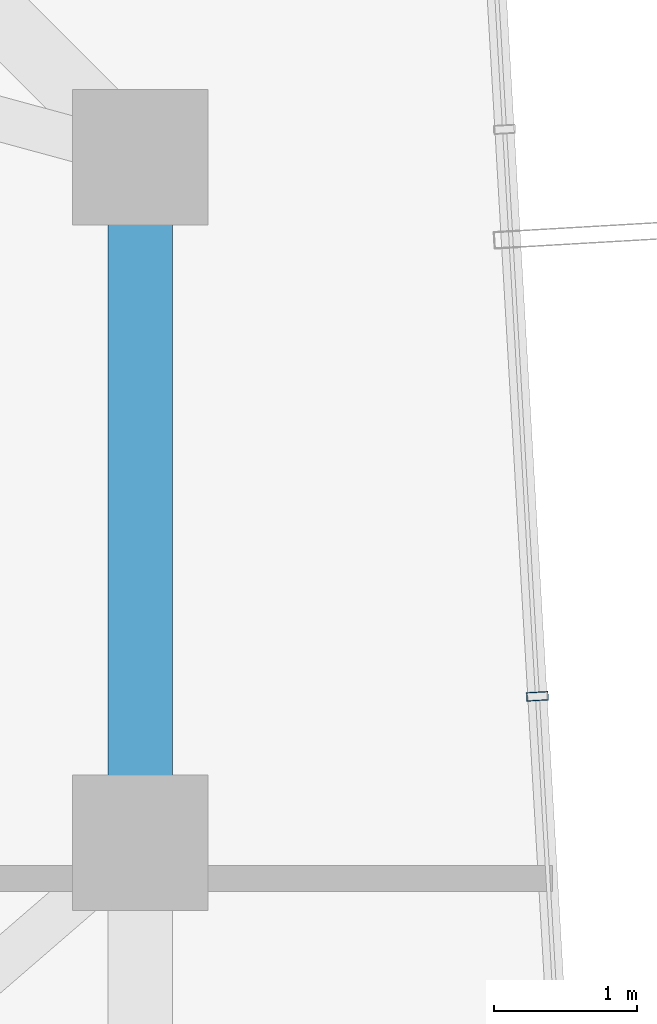
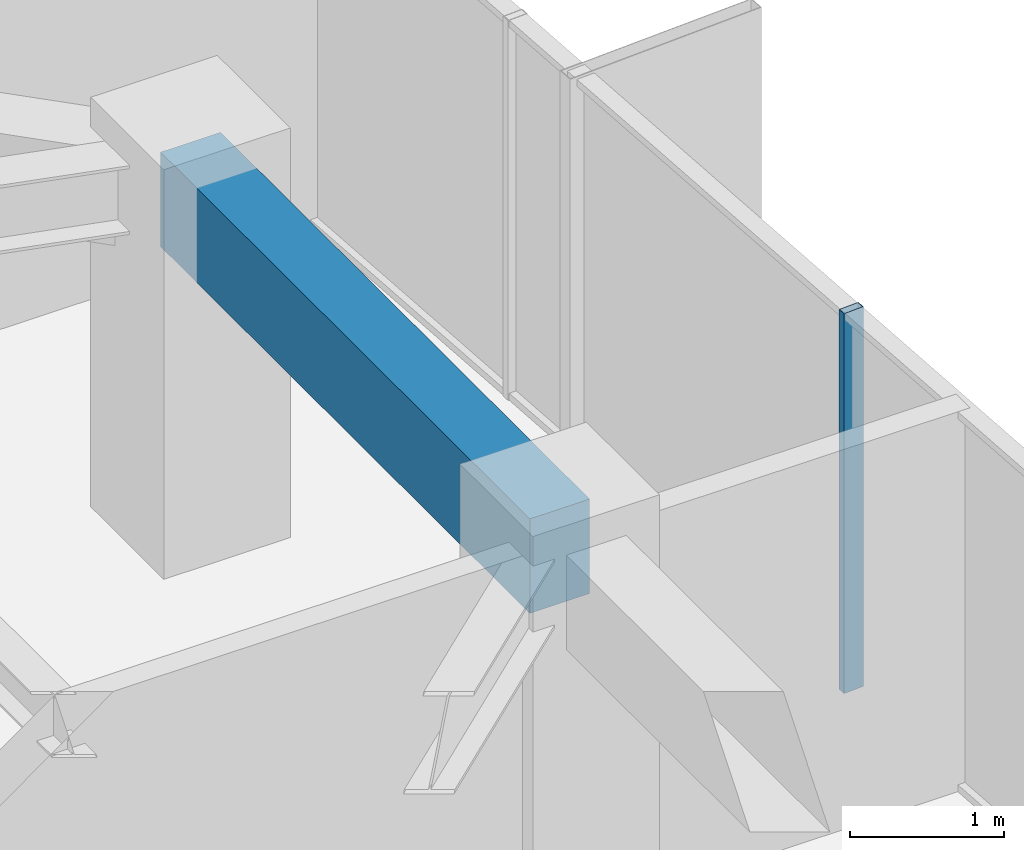
# One storey, part 19 of 33: 1 beam, 1 member, 1 element without a shape of its own.
"""IFC4 building model written with IfcOpenShell, lengths in metres."""

from ifc_helpers import new_model, si_unit, direction, frame, origin, origin_2d, place, context, subcontext, project, spatial, rectangle, hollow_rectangle, extrude, source, transform, mapped, material, layer, layer_set, material_profile, profile_set, type_object, element, aggregate, save


model = new_model("IFC4")

# Units and contexts
model_context = context("Model", 3, precision=1e-05, world=origin(), true_north=direction((0.0, 1.0)))
body_context = subcontext(model_context, "Body", "Model", "MODEL_VIEW")
ifc_project = project(units=[si_unit("LENGTHUNIT", "METRE"), si_unit("AREAUNIT", "SQUARE_METRE"), si_unit("VOLUMEUNIT", "CUBIC_METRE"), si_unit("PLANEANGLEUNIT", "RADIAN"), si_unit("MASSUNIT", "GRAM", prefix="KILO")], contexts=[model_context])

# Site, building, storey
site_placement = place(None, origin())
site = spatial("IfcSite", under=ifc_project, at=site_placement, CompositionType="ELEMENT")
building_placement = place(site_placement, origin())
building = spatial("IfcBuilding", under=site, at=building_placement, Name="Veraguas Prism Commons", CompositionType="ELEMENT")
storey_placement = place(building_placement, frame((0.0, 0.0, 195.10009765625)))
storey = spatial("IfcBuildingStorey", under=building, at=storey_placement, Name="L55", CompositionType="ELEMENT", Elevation=195.10009765625)

# Beam
ifc_material_1 = material(Name="Concrete C50/60", Category="concrete")
ifc_material_profile_1 = material_profile(ifc_material_1, rectangle(XDim=0.449951171875, YDim=0.75, at=origin_2d()), Name="RC450X750")
ifc_profile_set_1 = profile_set([ifc_material_profile_1], Name="Concrete C50/60")
beam_type = type_object("IfcBeamType", Name="Perimeter Spandrel Upper RC 450x750", PredefinedType="SPANDREL", material=ifc_profile_set_1)
beam_placement = place(storey_placement, frame((38.89990234375, 24.0, 2.639892578125), z_axis=(0.0, 1.0, 0.0), x_axis=(-1.0, 0.0, 0.0)))
element("IfcBeam", 1, at=beam_placement, inside=storey, type_object=beam_type, Name="Perimeter Spandrel Beam L55-SP02", PredefinedType="SPANDREL", context=body_context, shape_type="SweptSolid", body=[
    extrude(rectangle(XDim=0.449951171875, YDim=0.75, at=origin_2d()), origin(), (0.0, 0.0, 1.0), 4.800048828125),
])

# Curtain wall, member
ifc_material_2 = material(Name="Anodised aluminium EN AW-6063 T6", Category="aluminium")
ifc_layer = layer(ifc_material_2, 0.14990234375, Name="Unitised Flush Curtain Wall Zone 3", Category="aluminium")
ifc_layer_set = layer_set([ifc_layer], Name="Anodised aluminium EN AW-6063 T6")
curtain_wall_type = type_object("IfcCurtainWallType", Name="Unitised Flush Curtain Wall Zone 3", PredefinedType="NOTDEFINED", material=ifc_layer_set)
curtain_wall_placement = place(storey_placement, origin())
curtain_wall = element("IfcCurtainWall", 2, at=curtain_wall_placement, inside=storey, type_object=curtain_wall_type, Name="Tower Facade Curtain Wall L55-F6", PredefinedType="NOTDEFINED")
ifc_material_profile_2 = material_profile(ifc_material_2, hollow_rectangle(XDim=0.06005859375, YDim=0.14990234375, WallThickness=0.0029296875, at=origin_2d()), Name="AL60X150X3")
ifc_profile_set_2 = profile_set([ifc_material_profile_2], Name="Anodised aluminium EN AW-6063 T6")
member_type = type_object("IfcMemberType", Name="Curtain Wall Mullion Upper AL 60x150x3", PredefinedType="MULLION", material=ifc_profile_set_2)
shared_shape = source(origin(), body_context, "Body", "SweptSolid", [
    extrude(hollow_rectangle(XDim=0.06005859375, YDim=0.14990234375, WallThickness=0.0029296875, at=origin_2d()), origin(), (0.0, 0.0, 1.0), 3.014892578125),
])
member_placement = place(storey_placement, frame((41.680419921875, 25.025634765625, 0.0), z_axis=(0.0, 0.0, 1.0), x_axis=(-0.05790902568, 0.998321864303, 0.0)))
member = element("IfcMember", 3, at=member_placement, type_object=member_type, Name="CW-Z3 Mullion 3", PredefinedType="MULLION", context=body_context, shape_type="MappedRepresentation", body=[
    mapped(shared_shape, transform((0.0, 0.0, 0.0), scale=1.0)),
])
aggregate(curtain_wall, [member])

save(model, "model.ifc")
